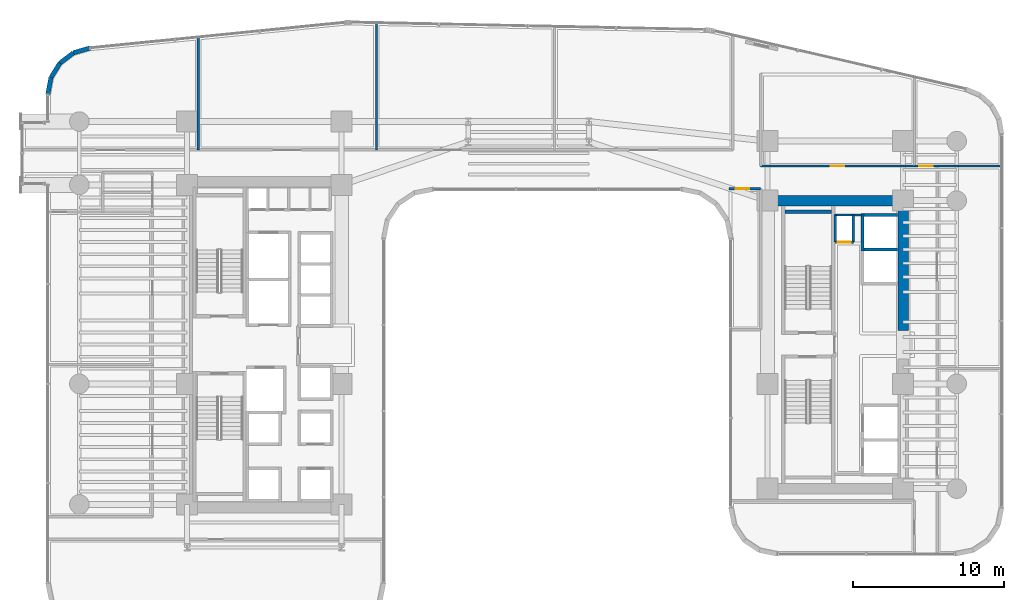
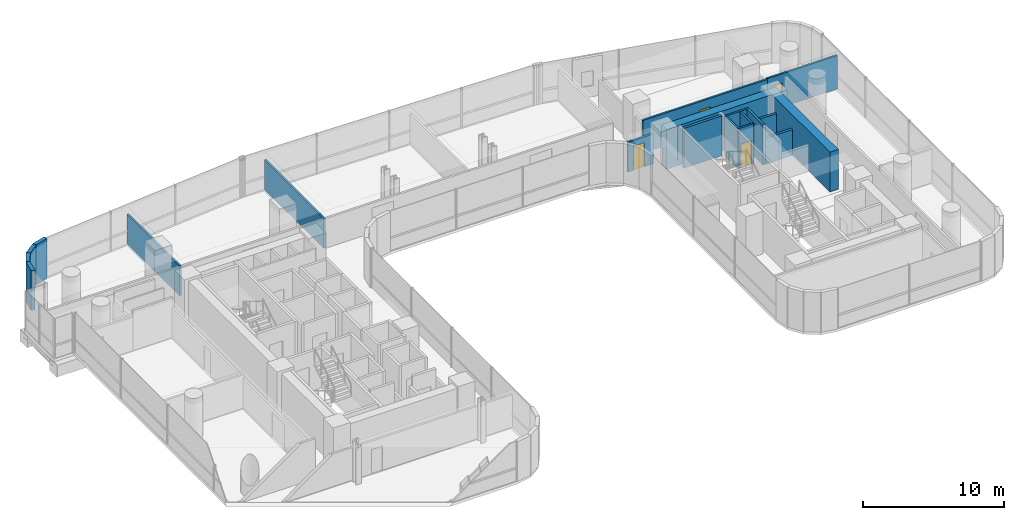
# One storey, part 34 of 40: 19 walls, 4 doors, 4 openings.
"""IFC4 building model written with IfcOpenShell, lengths in metres."""

from ifc_helpers import new_model, si_unit, direction, frame, frame_2d, origin, place, context, subcontext, project, spatial, rectangle, extrude, material, layer, layer_set, type_object, element, fill, save


model = new_model("IFC4")

# Units and contexts
model_context = context("Model", 3, precision=1e-05, world=origin(), true_north=direction((0.0, 1.0)))
body_context = subcontext(model_context, "Body", "Model", "MODEL_VIEW")
ifc_project = project(units=[si_unit("LENGTHUNIT", "METRE"), si_unit("AREAUNIT", "SQUARE_METRE"), si_unit("VOLUMEUNIT", "CUBIC_METRE"), si_unit("PLANEANGLEUNIT", "RADIAN"), si_unit("MASSUNIT", "GRAM", prefix="KILO")], contexts=[model_context])

# Site, building, storey
site_placement = place(None, origin())
site = spatial("IfcSite", under=ifc_project, at=site_placement, CompositionType="ELEMENT")
building_placement = place(site_placement, origin())
building = spatial("IfcBuilding", under=site, at=building_placement, Name="Valdorenza Pilgrim Sanctuary Tower", CompositionType="ELEMENT")
storey_placement = place(building_placement, frame((0.0, 0.0, 48.199951171875)))
storey = spatial("IfcBuildingStorey", under=building, at=storey_placement, Name="L11", CompositionType="ELEMENT", Elevation=48.199951171875)

# Wall, opening, door
ifc_material_1 = material(Name="Acoustic twin-stud gypsum partition", Category="gypsum")
ifc_layer_1 = layer(ifc_material_1, 0.159912109375, Name="Acoustic twin-stud gypsum partition")
ifc_layer_set_1 = layer_set([ifc_layer_1], Name="Acoustic twin-stud gypsum partition")
wall_type_1 = type_object("IfcWallType", Name="WAL-COR-160", PredefinedType="PARTITIONING", material=ifc_layer_set_1)
wall_1_placement = place(storey_placement, frame((20.35009765625, 6.800048828125, 0.0), z_axis=(0.0, 0.0, 1.0), x_axis=(1.0, 0.0, 0.0)))
wall_1 = element("IfcWall", 1, at=wall_1_placement, inside=storey, type_object=wall_type_1, Name="L11 Core B Riser South Wall", PredefinedType="PARTITIONING", context=body_context, shape_type="SweptSolid", body=[
    extrude(rectangle(XDim=1.199951171875, YDim=0.159912109375, at=frame_2d((0.60009765625, 0.0))), origin(), (0.0, 0.0, 1.0), 3.4599609375),
])
opening_1_placement = place(wall_1_placement, frame((0.175048828125, 0.0, 0.0)))
opening_1 = element("IfcOpeningElement", 2, at=opening_1_placement, cuts=wall_1, Name="Opening DR-RS1", PredefinedType="OPENING", context=body_context, shape_type="SweptSolid", body=[
    extrude(rectangle(XDim=0.85009765625, YDim=2.050048828125, at=frame_2d((0.425048828125, 1.02490234375))), frame((0.0, 0.0947265625, 0.0), z_axis=(0.0, -1.0, 0.0), x_axis=(1.0, 0.0, 0.0)), (0.0, 0.0, 1.0), 0.189697265625),
])
ifc_material_2 = material(Name="Painted galvanized steel", Category="steel")
door_type_1 = type_object("IfcDoorType", Name="DR-RSR-850", OperationType="NOTDEFINED", PredefinedType="DOOR", material=ifc_material_2)
door_1_placement = place(opening_1_placement, origin())
door_1 = element("IfcDoor", 3, at=door_1_placement, inside=storey, type_object=door_type_1, Name="L11 Core B Electrical Riser Door", OperationType="SINGLE_SWING_RIGHT", OverallHeight=2.050048828125, OverallWidth=0.85009765625, PredefinedType="DOOR", context=body_context, shape_type="SweptSolid", body=[
    extrude(rectangle(XDim=0.85009765625, YDim=2.050048828125, at=frame_2d((0.425048828125, 1.02490234375))), frame((0.0, 0.02490234375, 0.0), z_axis=(0.0, -1.0, 0.0), x_axis=(1.0, 0.0, 0.0)), (0.0, 0.0, 1.0), 0.050048828125),
])
fill(opening_1, door_1)

# Walls
for number, where, z_axis, x_axis, name in (
    (4, (21.550048828125, 6.800048828125, 0.0), (0.0, 0.0, 1.0), (0.0, 1.0, 0.0), "L11 Core B Riser East Wall"),
    (5, (20.35009765625, 6.800048828125, 0.0), (0.0, 0.0, 1.0), (0.0, 1.0, 0.0), "L11 Core B Riser West Wall"),
):
    element("IfcWall", number, at=place(storey_placement, frame(where, z_axis=z_axis, x_axis=x_axis)), inside=storey, type_object=wall_type_1, Name=name, PredefinedType="PARTITIONING", context=body_context, shape_type="SweptSolid", body=[
        extrude(rectangle(XDim=1.800048828125, YDim=0.159912109375, at=frame_2d((0.89990234375, 0.0))), origin(), (0.0, 0.0, 1.0), 3.4599609375),
    ])
wall_2_placement = place(storey_placement, frame((20.300048828125, 8.60009765625, 0.0), z_axis=(0.0, 0.0, 1.0), x_axis=(1.0, 0.0, 0.0)))
element("IfcWall", 6, at=wall_2_placement, inside=storey, type_object=wall_type_1, Name="L11 Core B Lift Hall North End Wall", PredefinedType="PARTITIONING", context=body_context, shape_type="SweptSolid", body=[
    extrude(rectangle(XDim=1.820068359375, YDim=0.159912109375, at=frame_2d((0.91015625, 0.0))), origin(), (0.0, 0.0, 1.0), 3.4599609375),
])

# Wall, opening, door
wall_3_placement = place(storey_placement, frame((15.39990234375, 11.85009765625, 0.0), z_axis=(0.0, 0.0, 1.0), x_axis=(1.0, 0.0, 0.0)))
wall_3 = element("IfcWall", 7, at=wall_3_placement, inside=storey, type_object=wall_type_1, Name="L11 Wing B North Corridor Wall", PredefinedType="PARTITIONING", context=body_context, shape_type="SweptSolid", body=[
    extrude(rectangle(XDim=10.2001953125, YDim=0.159912109375, at=frame_2d((5.10009765625, 0.0))), origin(), (0.0, 0.0, 1.0), 2.833984375),
])
opening_2_placement = place(wall_3_placement, frame((4.64990234375, 0.0, 0.0)))
opening_2 = element("IfcOpeningElement", 8, at=opening_2_placement, cuts=wall_3, Name="Opening DR-RM1", PredefinedType="OPENING", context=body_context, shape_type="SweptSolid", body=[
    extrude(rectangle(XDim=0.89990234375, YDim=2.10009765625, at=frame_2d((0.449951171875, 1.050048828125))), frame((0.0, 0.0947265625, 0.0), z_axis=(0.0, -1.0, 0.0), x_axis=(1.0, 0.0, 0.0)), (0.0, 0.0, 1.0), 0.189697265625),
])
ifc_material_3 = material(Name="Solid-core European oak timber", Category="wood")
door_type_2 = type_object("IfcDoorType", Name="DR-ROOM-900", OperationType="NOTDEFINED", PredefinedType="DOOR", material=ifc_material_3)
door_2_placement = place(opening_2_placement, frame((0.89990234375, 0.0, 0.0), z_axis=(0.0, 0.0, 1.0), x_axis=(-1.0, 0.0, 0.0)))
door_2 = element("IfcDoor", 9, at=door_2_placement, inside=storey, type_object=door_type_2, Name="L11 Curator Research Office L11-BN1 Door", OperationType="SINGLE_SWING_LEFT", OverallHeight=2.10009765625, OverallWidth=0.89990234375, PredefinedType="DOOR", context=body_context, shape_type="SweptSolid", body=[
    extrude(rectangle(XDim=0.89990234375, YDim=2.10009765625, at=frame_2d((0.449951171875, 1.050048828125))), frame((0.0, 0.02490234375, 0.0), z_axis=(0.0, -1.0, 0.0), x_axis=(1.0, 0.0, 0.0)), (0.0, 0.0, 1.0), 0.050048828125),
])
fill(opening_2, door_2)

wall_4_placement = place(storey_placement, frame((25.60009765625, 11.85009765625, 0.0), z_axis=(0.0, 0.0, 1.0), x_axis=(1.0, 0.0, 0.0)))
wall_4 = element("IfcWall", 10, at=wall_4_placement, inside=storey, type_object=wall_type_1, Name="L11 East Wing NE Corner South Wall", PredefinedType="PARTITIONING", context=body_context, shape_type="SweptSolid", body=[
    extrude(rectangle(XDim=5.789794921875, YDim=0.159912109375, at=frame_2d((2.89501953125, 0.0))), origin(), (0.0, 0.0, 1.0), 2.89599609375),
])
opening_3_placement = place(wall_4_placement, frame((0.300048828125, 0.0, 0.0)))
opening_3 = element("IfcOpeningElement", 11, at=opening_3_placement, cuts=wall_4, Name="Opening DR-RM1", PredefinedType="OPENING", context=body_context, shape_type="SweptSolid", body=[
    extrude(rectangle(XDim=0.89990234375, YDim=2.10009765625, at=frame_2d((0.449951171875, 1.050048828125))), frame((0.0, 0.0947265625, 0.0), z_axis=(0.0, -1.0, 0.0), x_axis=(1.0, 0.0, 0.0)), (0.0, 0.0, 1.0), 0.189697265625),
])
door_3_placement = place(opening_3_placement, origin())
door_3 = element("IfcDoor", 12, at=door_3_placement, inside=storey, type_object=door_type_2, Name="L11 East North Alcove Office L11 Door", OperationType="SINGLE_SWING_LEFT", OverallHeight=2.10009765625, OverallWidth=0.89990234375, PredefinedType="DOOR", context=body_context, shape_type="SweptSolid", body=[
    extrude(rectangle(XDim=0.89990234375, YDim=2.10009765625, at=frame_2d((0.449951171875, 1.050048828125))), frame((0.0, 0.02490234375, 0.0), z_axis=(0.0, -1.0, 0.0), x_axis=(1.0, 0.0, 0.0)), (0.0, 0.0, 1.0), 0.050048828125),
])
fill(opening_3, door_3)

wall_5_placement = place(storey_placement, frame((13.300048828125, 10.35009765625, 0.0), z_axis=(0.0, 0.0, 1.0), x_axis=(1.0, 0.0, 0.0)))
wall_5 = element("IfcWall", 13, at=wall_5_placement, inside=storey, type_object=wall_type_1, Name="L11 Courtyard Overlook North Wall", PredefinedType="PARTITIONING", context=body_context, shape_type="SweptSolid", body=[
    extrude(rectangle(XDim=2.099853515625, YDim=0.159912109375, at=frame_2d((1.0498046875, 0.0))), origin(), (0.0, 0.0, 1.0), 2.5830078125),
])
opening_4_placement = place(wall_5_placement, frame((0.449951171875, 0.0, 0.0)))
opening_4 = element("IfcOpeningElement", 14, at=opening_4_placement, cuts=wall_5, Name="Opening DR-RM1", PredefinedType="OPENING", context=body_context, shape_type="SweptSolid", body=[
    extrude(rectangle(XDim=0.89990234375, YDim=2.10009765625, at=frame_2d((0.449951171875, 1.050048828125))), frame((0.0, 0.0947265625, 0.0), z_axis=(0.0, -1.0, 0.0), x_axis=(1.0, 0.0, 0.0)), (0.0, 0.0, 1.0), 0.189697265625),
])
door_4_placement = place(opening_4_placement, origin())
door_4 = element("IfcDoor", 15, at=door_4_placement, inside=storey, type_object=door_type_2, Name="L11 Courtyard Overlook Salon Door", OperationType="SINGLE_SWING_RIGHT", OverallHeight=2.10009765625, OverallWidth=0.89990234375, PredefinedType="DOOR", context=body_context, shape_type="SweptSolid", body=[
    extrude(rectangle(XDim=0.89990234375, YDim=2.10009765625, at=frame_2d((0.449951171875, 1.050048828125))), frame((0.0, 0.02490234375, 0.0), z_axis=(0.0, -1.0, 0.0), x_axis=(1.0, 0.0, 0.0)), (0.0, 0.0, 1.0), 0.050048828125),
])
fill(opening_4, door_4)

# Walls
ifc_material_4 = material(Name="Concrete C60/75", Category="concrete")
ifc_layer_2 = layer(ifc_material_4, 0.699951171875, Name="Concrete C60/75")
ifc_layer_set_2 = layer_set([ifc_layer_2], Name="Concrete C60/75")
wall_type_2 = type_object("IfcWallType", Name="WAL-COR-700", PredefinedType="SHEAR", material=ifc_layer_set_2)
wall_6_placement = place(storey_placement, frame((24.85009765625, 0.949951171875, 0.0), z_axis=(0.0, 0.0, 1.0), x_axis=(0.0, 1.0, 0.0)))
element("IfcWall", 16, at=wall_6_placement, inside=storey, type_object=wall_type_2, Name="L11 Split Core B Shear Wall EN", PredefinedType="SHEAR", context=body_context, shape_type="SweptSolid", body=[
    extrude(rectangle(XDim=8.949951171875, YDim=0.699951171875, at=frame_2d((4.47509765625, 0.0))), origin(), (0.0, 0.0, 1.0), 3.4599609375),
])
wall_7_placement = place(storey_placement, frame((15.85009765625, 9.550048828125, 0.0), z_axis=(0.0, 0.0, 1.0), x_axis=(1.0, 0.0, 0.0)))
element("IfcWall", 17, at=wall_7_placement, inside=storey, type_object=wall_type_2, Name="L11 Split Core B Shear Wall N", PredefinedType="SHEAR", context=body_context, shape_type="SweptSolid", body=[
    extrude(rectangle(XDim=9.0, YDim=0.699951171875, at=frame_2d((4.5, 0.0))), origin(), (0.0, 0.0, 1.0), 3.4599609375),
])
ifc_material_5 = material(Name="Honed travertine limestone", Category="masonry")
ifc_layer_3 = layer(ifc_material_5, 0.300048828125, Name="Honed travertine limestone")
ifc_layer_set_3 = layer_set([ifc_layer_3], Name="Honed travertine limestone")
wall_type_3 = type_object("IfcWallType", Name="WAL-EXT-300", PredefinedType="SOLIDWALL", material=ifc_layer_set_3)
wall_8_placement = place(storey_placement, frame((-31.889892578125, 16.593994140625, 0.0), z_axis=(0.0, 0.0, 1.0), x_axis=(0.182748995683, 0.9831596028, 0.0)))
element("IfcWall", 18, at=wall_8_placement, inside=storey, type_object=wall_type_3, Name="L11 Rounded Wind-Corner Stone Pier 2", PredefinedType="SOLIDWALL", context=body_context, shape_type="SweptSolid", body=[
    extrude(rectangle(XDim=1.1396484375, YDim=0.300048828125, at=frame_2d((0.56982421875, 0.0))), origin(), (0.0, 0.0, 1.0), 3.4599609375),
])
wall_9_placement = place(storey_placement, frame((-31.681640625, 17.71435546875, 0.0), z_axis=(0.0, 0.0, 1.0), x_axis=(0.524157723014, 0.8516212077, 0.0)))
element("IfcWall", 19, at=wall_9_placement, inside=storey, type_object=wall_type_3, Name="L11 Rounded Wind-Corner Stone Pier 3", PredefinedType="SOLIDWALL", context=body_context, shape_type="SweptSolid", body=[
    extrude(rectangle(XDim=1.12939453125, YDim=0.300048828125, at=frame_2d((0.564697265625, 0.0))), origin(), (0.0, 0.0, 1.0), 3.4599609375),
])
wall_10_placement = place(storey_placement, frame((-31.089599609375, 18.67626953125, 0.0), z_axis=(0.0, 0.0, 1.0), x_axis=(0.795253002434, 0.606277710393, 0.0)))
element("IfcWall", 20, at=wall_10_placement, inside=storey, type_object=wall_type_3, Name="L11 Rounded Wind-Corner Stone Pier 4", PredefinedType="SOLIDWALL", context=body_context, shape_type="SweptSolid", body=[
    extrude(rectangle(XDim=1.129150390625, YDim=0.300048828125, at=frame_2d((0.564453125, 0.0))), origin(), (0.0, 0.0, 1.0), 3.4599609375),
])
wall_11_placement = place(storey_placement, frame((-30.191650390625, 19.36083984375, 0.0), z_axis=(0.0, 0.0, 1.0), x_axis=(0.960071941549, 0.279753225271, 0.0)))
element("IfcWall", 21, at=wall_11_placement, inside=storey, type_object=wall_type_3, Name="L11 Rounded Wind-Corner Stone Pier 5", PredefinedType="SOLIDWALL", context=body_context, shape_type="SweptSolid", body=[
    extrude(rectangle(XDim=1.1396484375, YDim=0.300048828125, at=frame_2d((0.56982421875, 0.0))), origin(), (0.0, 0.0, 1.0), 3.4599609375),
])
ifc_material_6 = material(Name="Autoclaved aerated concrete blockwork", Category="masonry")
ifc_layer_4 = layer(ifc_material_6, 0.199951171875, Name="Autoclaved aerated concrete blockwork")
ifc_layer_set_4 = layer_set([ifc_layer_4], Name="Autoclaved aerated concrete blockwork")
wall_type_4 = type_object("IfcWallType", Name="WAL-SHF-200", PredefinedType="MOVABLE", material=ifc_layer_set_4)
wall_12_placement = place(storey_placement, frame((22.25, 6.324951171875, 0.0), z_axis=(0.0, 0.0, 1.0), x_axis=(1.0, 0.0, 0.0)))
element("IfcWall", 22, at=wall_12_placement, inside=storey, type_object=wall_type_4, Name="L11 Lift PL-07 Hoistway Wall North", PredefinedType="MOVABLE", context=body_context, shape_type="SweptSolid", body=[
    extrude(rectangle(XDim=2.22998046875, YDim=0.199951171875, at=frame_2d((1.114990234375, 0.0))), origin(), (0.0, 0.0, 1.0), 2.2451171875),
])
wall_13_placement = place(storey_placement, frame((22.14990234375, 6.22509765625, 0.0), z_axis=(0.0, 0.0, 1.0), x_axis=(0.0, 1.0, 0.0)))
element("IfcWall", 23, at=wall_13_placement, inside=storey, type_object=wall_type_4, Name="L11 Lift PL-08 Hoistway Wall West", PredefinedType="MOVABLE", context=body_context, shape_type="SweptSolid", body=[
    extrude(rectangle(XDim=2.474853515625, YDim=0.199951171875, at=frame_2d((1.2373046875, 0.0))), origin(), (0.0, 0.0, 1.0), 3.4599609375),
])
wall_14_placement = place(storey_placement, frame((22.25, 8.60009765625, 0.0), z_axis=(0.0, 0.0, 1.0), x_axis=(1.0, 0.0, 0.0)))
element("IfcWall", 24, at=wall_14_placement, inside=storey, type_object=wall_type_4, Name="L11 Lift PL-08 Hoistway Wall North", PredefinedType="MOVABLE", context=body_context, shape_type="SweptSolid", body=[
    extrude(rectangle(XDim=2.22998046875, YDim=0.199951171875, at=frame_2d((1.114990234375, 0.0))), origin(), (0.0, 0.0, 1.0), 2.2451171875),
])
ifc_material_7 = material(Name="Concrete C40/50", Category="concrete")
ifc_layer_5 = layer(ifc_material_7, 0.219970703125, Name="Concrete C40/50")
ifc_layer_set_5 = layer_set([ifc_layer_5], Name="Concrete C40/50")
wall_type_5 = type_object("IfcWallType", Name="WAL-STR-SHF-220", PredefinedType="SHEAR", material=ifc_layer_set_5)
wall_15_placement = place(storey_placement, frame((17.0, 8.81005859375, 0.0), z_axis=(0.0, 0.0, 1.0), x_axis=(1.0, 0.0, 0.0)))
element("IfcWall", 25, at=wall_15_placement, inside=storey, type_object=wall_type_5, Name="L11 ST-B1 Structural Stairwell Wall N", PredefinedType="SHEAR", context=body_context, shape_type="SweptSolid", body=[
    extrude(rectangle(XDim=3.110107421875, YDim=0.219970703125, at=frame_2d((1.55517578125, 0.0))), origin(), (0.0, 0.0, 1.0), 3.4599609375),
])
ifc_layer_6 = layer(ifc_material_1, 0.14990234375, Name="Acoustic twin-stud gypsum partition")
ifc_layer_set_6 = layer_set([ifc_layer_6], Name="Acoustic twin-stud gypsum partition")
wall_type_6 = type_object("IfcWallType", Name="WAL-UNT-150", PredefinedType="PARTITIONING", material=ifc_layer_set_6)
wall_16_placement = place(storey_placement, frame((-21.91748046875, 12.919921875, 0.0), z_axis=(0.0, 0.0, 1.0), x_axis=(0.0, 1.0, 0.0)))
element("IfcWall", 26, at=wall_16_placement, inside=storey, type_object=wall_type_6, Name="L11 Sacred Art Exhibition Gallery L11-N2 Demising Wall", PredefinedType="PARTITIONING", context=body_context, shape_type="SweptSolid", body=[
    extrude(rectangle(XDim=7.477783203125, YDim=0.14990234375, at=frame_2d((3.73876953125, 0.0))), origin(), (0.0, 0.0, 1.0), 2.5830078125),
])
wall_17_placement = place(storey_placement, frame((-10.094970703125, 12.919921875, 0.0), z_axis=(0.0, 0.0, 1.0), x_axis=(0.0, 1.0, 0.0)))
element("IfcWall", 27, at=wall_17_placement, inside=storey, type_object=wall_type_6, Name="L11 Sacred Art Exhibition Gallery L11-N3 Demising Wall", PredefinedType="PARTITIONING", context=body_context, shape_type="SweptSolid", body=[
    extrude(rectangle(XDim=8.430419921875, YDim=0.14990234375, at=frame_2d((4.21533203125, 0.0))), origin(), (0.0, 0.0, 1.0), 2.5830078125),
])

save(model, "model.ifc")
